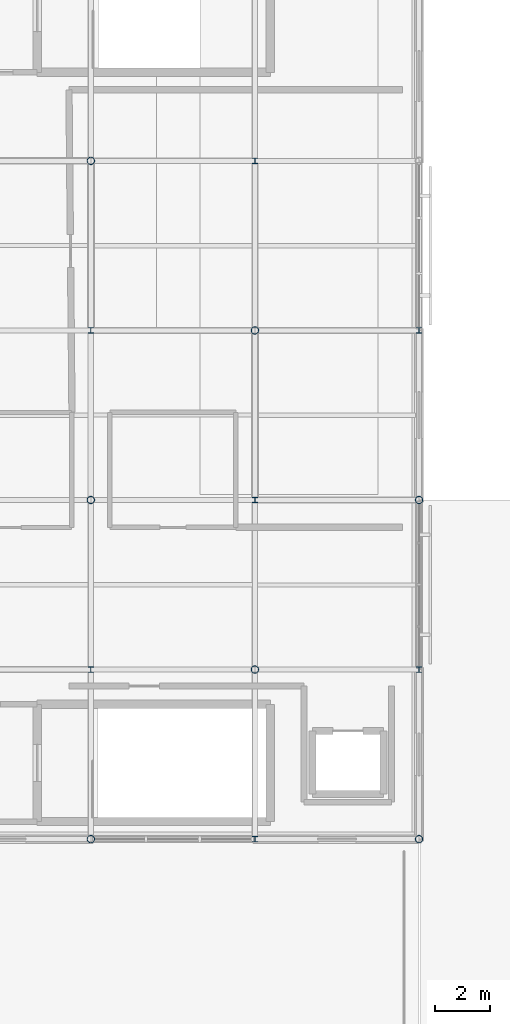
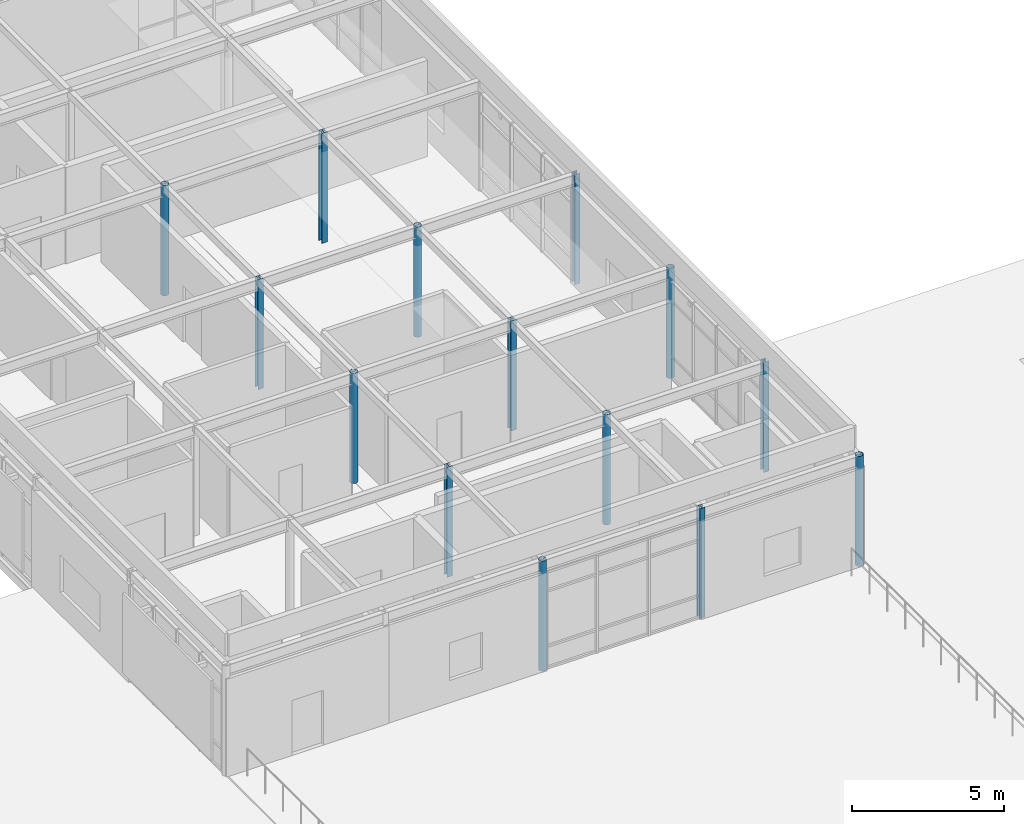
# One storey, part 3 of 16: 14 columns.
"""IFC4 building model written with IfcOpenShell, lengths in metres."""

from ifc_helpers import new_model, si_unit, direction, frame, origin, origin_2d, place, context, subcontext, project, spatial, hollow_circle, i_section, extrude, material, material_profile, profile_set, type_object, element, save


model = new_model("IFC4")

# Units and contexts
model_context = context("Model", 3, precision=1e-05, world=origin(), true_north=direction((0.0, 1.0)))
body_context = subcontext(model_context, "Body", "Model", "MODEL_VIEW")
ifc_project = project(units=[si_unit("LENGTHUNIT", "METRE"), si_unit("AREAUNIT", "SQUARE_METRE"), si_unit("VOLUMEUNIT", "CUBIC_METRE"), si_unit("PLANEANGLEUNIT", "RADIAN"), si_unit("MASSUNIT", "GRAM", prefix="KILO")], contexts=[model_context])

# Site, building, storey
site_placement = place(None, origin())
site = spatial("IfcSite", under=ifc_project, at=site_placement, CompositionType="ELEMENT")
building_placement = place(site_placement, origin())
building = spatial("IfcBuilding", under=site, at=building_placement, Name="Mirzam Square Science Centre", CompositionType="ELEMENT")
storey_placement = place(building_placement, frame((0.0, 0.0, 25.199951171875)))
storey = spatial("IfcBuildingStorey", under=building, at=storey_placement, Name="L05", CompositionType="ELEMENT", Elevation=25.199951171875)

# Columns
ifc_material = material(Name="Steel S355", Category="steel")
ifc_material_profile_1 = material_profile(ifc_material, hollow_circle(Radius=0.136474609375, WallThickness=0.010009765625, at=origin_2d()), Name="273.0x10.0CHS")
ifc_profile_set_1 = profile_set([ifc_material_profile_1], Name="Steel S355")
column_type_1 = type_object("IfcColumnType", Name="COL-CHS273", PredefinedType="COLUMN", material=ifc_profile_set_1)
for number, where, z_axis, x_axis, name in (
    (1, (126.0, 74.39990234375, 0.0), (0.0, 0.0, 1.0), (1.0, 0.0, 0.0), "L05 column G22-13"),
    (2, (126.0, 86.800048828125, 0.0), (0.0, 0.0, 1.0), (1.0, 0.0, 0.0), "L05 column G22-15"),
    (3, (126.0, 99.199951171875, 0.0), (0.0, 0.0, 1.0), (1.0, 0.0, 0.0), "L05 column G22-17"),
    (4, (132.0, 80.60009765625, 0.0), (0.0, 0.0, 1.0), (1.0, 0.0, 0.0), "L05 column G23-14"),
    (5, (132.0, 93.0, 0.0), (0.0, 0.0, 1.0), (1.0, 0.0, 0.0), "L05 column G23-16"),
    (6, (138.0, 74.39990234375, 0.0), (0.0, 0.0, 1.0), (1.0, 0.0, 0.0), "L05 column G24-13"),
    (7, (138.0, 86.800048828125, 0.0), (0.0, 0.0, 1.0), (1.0, 0.0, 0.0), "L05 column G24-15"),
):
    element("IfcColumn", number, at=place(storey_placement, frame(where, z_axis=z_axis, x_axis=x_axis)), inside=storey, type_object=column_type_1, Name=name, PredefinedType="COLUMN", context=body_context, shape_type="SweptSolid", body=[
        extrude(hollow_circle(Radius=0.136474609375, WallThickness=0.010009765625, at=origin_2d()), origin(), (0.0, 0.0, 1.0), 4.41015625),
    ])
ifc_material_profile_2 = material_profile(ifc_material, i_section(OverallWidth=0.205810546875, OverallDepth=0.209716796875, WebThickness=0.009521484375, FlangeThickness=0.01416015625, FilletRadius=0.01025390625, at=origin_2d()), Name="203x203x60UC")
ifc_profile_set_2 = profile_set([ifc_material_profile_2], Name="Steel S355")
column_type_2 = type_object("IfcColumnType", Name="COL-UC203A", PredefinedType="COLUMN", material=ifc_profile_set_2)
for number, where, z_axis, x_axis, name in (
    (8, (126.0, 80.60009765625, 0.0), (0.0, 0.0, 1.0), (1.0, 0.0, 0.0), "L05 column G22-14"),
    (9, (126.0, 93.0, 0.0), (0.0, 0.0, 1.0), (1.0, 0.0, 0.0), "L05 column G22-16"),
    (10, (132.0, 74.39990234375, 0.0), (0.0, 0.0, 1.0), (1.0, 0.0, 0.0), "L05 column G23-13"),
    (11, (132.0, 86.800048828125, 0.0), (0.0, 0.0, 1.0), (1.0, 0.0, 0.0), "L05 column G23-15"),
    (12, (132.0, 99.199951171875, 0.0), (0.0, 0.0, 1.0), (1.0, 0.0, 0.0), "L05 column G23-17"),
    (13, (138.0, 80.60009765625, 0.0), (0.0, 0.0, 1.0), (1.0, 0.0, 0.0), "L05 column G24-14"),
    (14, (138.0, 93.0, 0.0), (0.0, 0.0, 1.0), (1.0, 0.0, 0.0), "L05 column G24-16"),
):
    element("IfcColumn", number, at=place(storey_placement, frame(where, z_axis=z_axis, x_axis=x_axis)), inside=storey, type_object=column_type_2, Name=name, PredefinedType="COLUMN", context=body_context, shape_type="SweptSolid", body=[
        extrude(i_section(OverallWidth=0.205810546875, OverallDepth=0.209716796875, WebThickness=0.009521484375, FlangeThickness=0.01416015625, FilletRadius=0.01025390625, at=origin_2d()), origin(), (0.0, 0.0, 1.0), 4.41015625),
    ])

save(model, "model.ifc")
